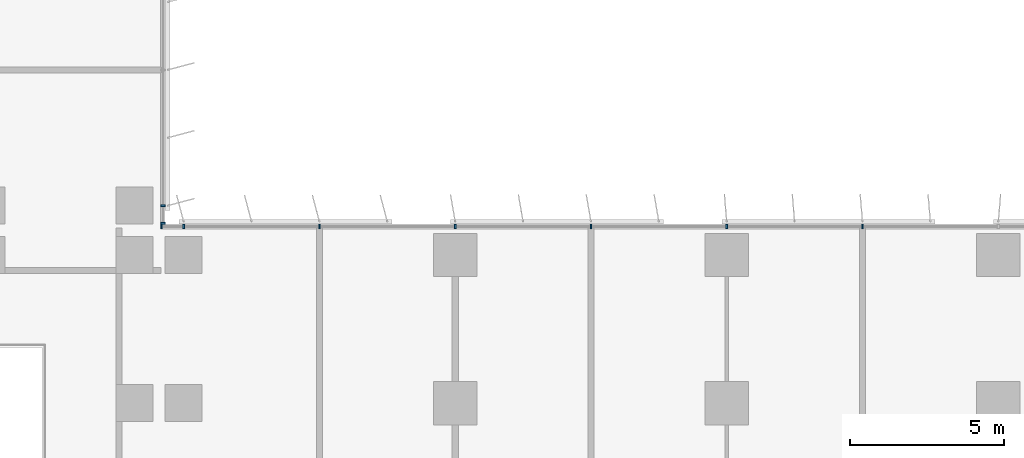
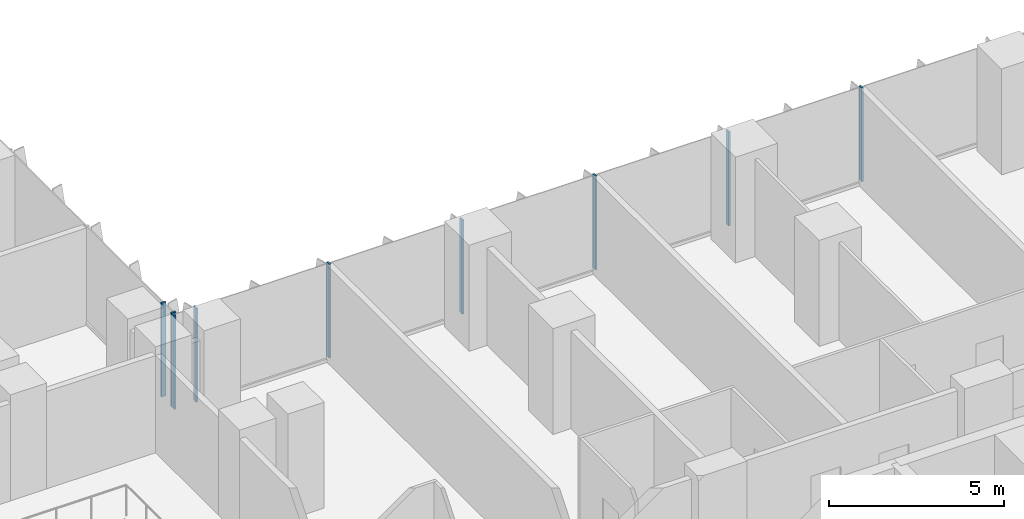
# One storey, part 2 of 24: 9 members, 2 elements without a shape of their own.
"""IFC4 building model written with IfcOpenShell, lengths in metres."""

from ifc_helpers import new_model, si_unit, direction, frame, origin, origin_2d, place, context, subcontext, project, spatial, rectangle, extrude, source, transform, mapped, material, material_profile, profile_set, type_object, element, aggregate, save


model = new_model("IFC4")

# Units and contexts
model_context = context("Model", 3, precision=1e-05, world=origin(), true_north=direction((0.0, 1.0)))
body_context = subcontext(model_context, "Body", "Model", "MODEL_VIEW")
ifc_project = project(units=[si_unit("LENGTHUNIT", "METRE"), si_unit("AREAUNIT", "SQUARE_METRE"), si_unit("VOLUMEUNIT", "CUBIC_METRE"), si_unit("PLANEANGLEUNIT", "RADIAN"), si_unit("MASSUNIT", "GRAM", prefix="KILO")], contexts=[model_context])

# Site, building, storey
site_placement = place(None, origin())
site = spatial("IfcSite", under=ifc_project, at=site_placement, CompositionType="ELEMENT")
building_placement = place(site_placement, origin())
building = spatial("IfcBuilding", under=site, at=building_placement, Name="Kemantara Hotel Tower", CompositionType="ELEMENT")
storey_placement = place(building_placement, frame((0.0, 0.0, 59.89990234375)))
storey = spatial("IfcBuildingStorey", under=building, at=storey_placement, Name="L13", CompositionType="ELEMENT", Elevation=59.89990234375)

# Curtain wall, members
ifc_material_1 = material(Name="Low-E tinted double insulated glass 36 mm", Category="glass")
curtain_wall_type = type_object("IfcCurtainWallType", Name="TOWER CURTAIN WALL, FRONT FACES", PredefinedType="USERDEFINED", material=ifc_material_1)
curtain_wall_1_placement = place(storey_placement, origin())
curtain_wall_1 = element("IfcCurtainWall", 1, at=curtain_wall_1_placement, inside=storey, type_object=curtain_wall_type, Name="CW4 L13 T1-R07-1", ObjectType="TOWER CURTAIN WALL, FRONT FACES", PredefinedType="USERDEFINED")
ifc_material_2 = material(Name="Aluminium 6063-T6 bronze anodised", Category="aluminium")
ifc_material_profile = material_profile(ifc_material_2, rectangle(XDim=0.14990234375, YDim=0.06005859375, at=origin_2d()), Name="TOWER CURTAIN WALL, FRONT FACES MULLION")
ifc_profile_set = profile_set([ifc_material_profile], Name="Aluminium 6063-T6 bronze anodised")
member_type = type_object("IfcMemberType", Name="TOWER CURTAIN WALL, FRONT FACES MULLION", PredefinedType="MULLION", material=ifc_profile_set)
shared_shape = source(origin(), body_context, "Body", "SweptSolid", [
    extrude(rectangle(XDim=0.14990234375, YDim=0.06005859375, at=origin_2d()), origin(), (0.0, 0.0, 1.0), 3.280029296875),
])
member_1_placement = place(storey_placement, frame((49.39990234375, 26.72509765625, 0.1201171875), z_axis=(0.0, 0.0, 1.0), x_axis=(0.0, -1.0, 0.0)))
member_1 = element("IfcMember", 2, at=member_1_placement, type_object=member_type, Name="CW4 mullion T1-R07-1.8", PredefinedType="MULLION", context=body_context, shape_type="MappedRepresentation", body=[
    mapped(shared_shape, transform((0.0, 0.0, 0.0))),
])
member_2_placement = place(storey_placement, frame((45.0, 26.72509765625, 0.1201171875), z_axis=(0.0, 0.0, 1.0), x_axis=(0.0, -1.0, 0.0)))
member_2 = element("IfcMember", 3, at=member_2_placement, type_object=member_type, Name="CW4 mullion T1-R07-1.9", PredefinedType="MULLION", context=body_context, shape_type="MappedRepresentation", body=[
    mapped(shared_shape, transform((0.0, 0.0, 0.0))),
])
member_3_placement = place(storey_placement, frame((40.60009765625, 26.72509765625, 0.1201171875), z_axis=(0.0, 0.0, 1.0), x_axis=(0.0, -1.0, 0.0)))
member_3 = element("IfcMember", 4, at=member_3_placement, type_object=member_type, Name="CW4 mullion T1-R07-1.10", PredefinedType="MULLION", context=body_context, shape_type="MappedRepresentation", body=[
    mapped(shared_shape, transform((0.0, 0.0, 0.0))),
])
member_4_placement = place(storey_placement, frame((36.199951171875, 26.72509765625, 0.1201171875), z_axis=(0.0, 0.0, 1.0), x_axis=(0.0, -1.0, 0.0)))
member_4 = element("IfcMember", 5, at=member_4_placement, type_object=member_type, Name="CW4 mullion T1-R07-1.11", PredefinedType="MULLION", context=body_context, shape_type="MappedRepresentation", body=[
    mapped(shared_shape, transform((0.0, 0.0, 0.0))),
])
member_5_placement = place(storey_placement, frame((31.800048828125, 26.72509765625, 0.1201171875), z_axis=(0.0, 0.0, 1.0), x_axis=(0.0, -1.0, 0.0)))
member_5 = element("IfcMember", 6, at=member_5_placement, type_object=member_type, Name="CW4 mullion T1-R07-1.12", PredefinedType="MULLION", context=body_context, shape_type="MappedRepresentation", body=[
    mapped(shared_shape, transform((0.0, 0.0, 0.0))),
])
member_6_placement = place(storey_placement, frame((27.39990234375, 26.72509765625, 0.1201171875), z_axis=(0.0, 0.0, 1.0), x_axis=(0.0, -1.0, 0.0)))
member_6 = element("IfcMember", 7, at=member_6_placement, type_object=member_type, Name="CW4 mullion T1-R07-1.13", PredefinedType="MULLION", context=body_context, shape_type="MappedRepresentation", body=[
    mapped(shared_shape, transform((0.0, 0.0, 0.0))),
])
member_7_placement = place(storey_placement, frame((26.679931640625, 26.72509765625, 0.1201171875), z_axis=(0.0, 0.0, 1.0), x_axis=(0.0, -1.0, 0.0)))
member_7 = element("IfcMember", 8, at=member_7_placement, type_object=member_type, Name="CW4 mullion T1-R07-1.14", PredefinedType="MULLION", context=body_context, shape_type="MappedRepresentation", body=[
    mapped(shared_shape, transform((0.0, 0.0, 0.0))),
])
aggregate(curtain_wall_1, [member_1, member_2, member_3, member_4, member_5, member_6, member_7])

curtain_wall_2_placement = place(storey_placement, origin())
curtain_wall_2 = element("IfcCurtainWall", 9, at=curtain_wall_2_placement, inside=storey, type_object=curtain_wall_type, Name="CW4 L13 T1-R08-1", ObjectType="TOWER CURTAIN WALL, FRONT FACES", PredefinedType="USERDEFINED")
member_8_placement = place(storey_placement, frame((26.72509765625, 26.830078125, 0.1201171875), z_axis=(0.0, 0.0, 1.0), x_axis=(-1.0, 0.0, 0.0)))
member_8 = element("IfcMember", 10, at=member_8_placement, type_object=member_type, Name="CW4 mullion T1-R08-1.1", PredefinedType="MULLION", context=body_context, shape_type="MappedRepresentation", body=[
    mapped(shared_shape, transform((0.0, 0.0, 0.0))),
])
member_9_placement = place(storey_placement, frame((26.72509765625, 27.39990234375, 0.1201171875), z_axis=(0.0, 0.0, 1.0), x_axis=(-1.0, 0.0, 0.0)))
member_9 = element("IfcMember", 11, at=member_9_placement, type_object=member_type, Name="CW4 mullion T1-R08-1.2", PredefinedType="MULLION", context=body_context, shape_type="MappedRepresentation", body=[
    mapped(shared_shape, transform((0.0, 0.0, 0.0))),
])
aggregate(curtain_wall_2, [member_8, member_9])

save(model, "model.ifc")
